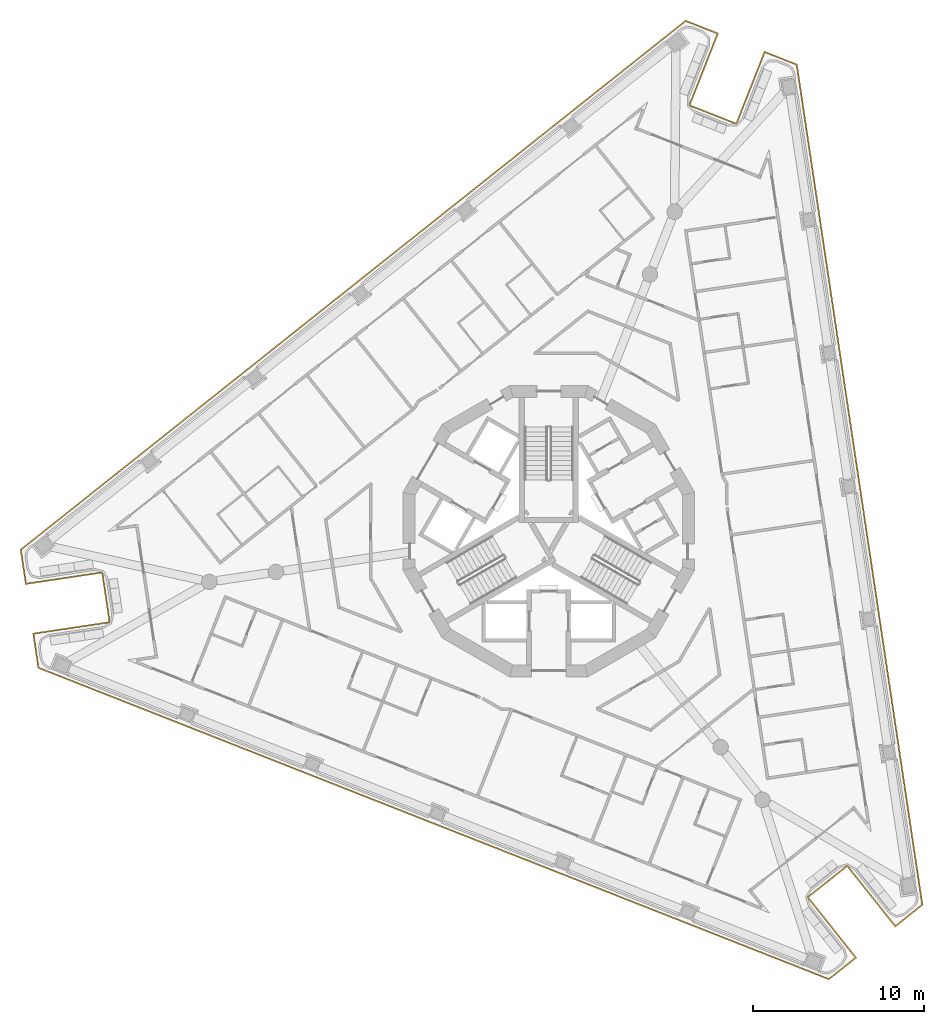
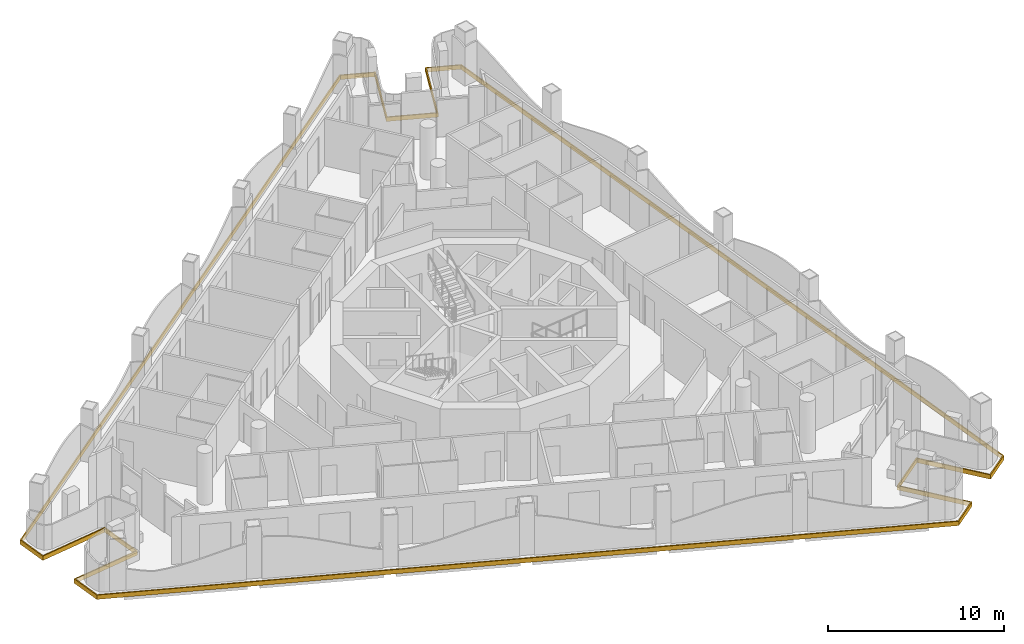
# One storey, part 12 of 16: 1 covering.
"""IFC4 building model written with IfcOpenShell, lengths in metres."""

from ifc_helpers import new_model, si_unit, direction, frame, origin, place, context, subcontext, project, spatial, polyline, outline, extrude, material, layer, layer_set, type_object, element, save


model = new_model("IFC4")

# Units and contexts
model_context = context("Model", 3, precision=1e-05, world=origin(), true_north=direction((0.0, 1.0)))
body_context = subcontext(model_context, "Body", "Model", "MODEL_VIEW")
ifc_project = project(units=[si_unit("LENGTHUNIT", "METRE"), si_unit("AREAUNIT", "SQUARE_METRE"), si_unit("VOLUMEUNIT", "CUBIC_METRE"), si_unit("PLANEANGLEUNIT", "RADIAN"), si_unit("MASSUNIT", "GRAM", prefix="KILO")], contexts=[model_context])

# Site, building, storey
site_placement = place(None, origin())
site = spatial("IfcSite", under=ifc_project, at=site_placement, CompositionType="ELEMENT")
building_placement = place(site_placement, origin())
building = spatial("IfcBuilding", under=site, at=building_placement, Name="Trine Commons Tower", CompositionType="ELEMENT")
storey_placement = place(building_placement, frame((0.0, 0.0, 205.199951171875)))
storey = spatial("IfcBuildingStorey", under=building, at=storey_placement, Name="L53", CompositionType="ELEMENT", Elevation=205.199951171875)

# Covering
ifc_material = material(Name="Limestone, honed", Category="masonry")
ifc_layer = layer(ifc_material, 0.074951171875)
ifc_layer_set = layer_set([ifc_layer], Name="Limestone, honed")
covering_type = type_object("IfcCoveringType", Name="Limestone spandrel panel 75", PredefinedType="CLADDING", material=ifc_layer_set)
covering_placement = place(storey_placement, frame((0.0, 0.0, -0.300048828125)))
element("IfcCovering", 1, at=covering_placement, inside=storey, type_object=covering_type, Name="Limestone spandrel panel 6-01", PredefinedType="CLADDING", context=body_context, shape_type="SweptSolid", body=[
    extrude(outline(polyline([(97.397705078125, 42.917236328125), (100.198974609375, 39.3955078125), (101.82861328125, 40.69189453125), (94.498779296875, 89.7373046875), (92.561279296875, 90.50048828125), (90.912109375, 86.313720703125), (88.26025390625, 87.358154296875), (89.90966796875, 91.545166015625), (87.97216796875, 92.308349609375), (49.162353515625, 61.4375), (49.47021484375, 59.378173828125), (53.9208984375, 60.043212890625), (54.342041015625, 57.224609375), (49.891357421875, 56.559326171875), (50.19921875, 54.5), (96.3388671875, 36.324951171875), (97.968505859375, 37.621337890625), (95.167236328125, 41.14306640625), (97.397705078125, 42.917236328125)]), holes=[polyline([(92.603515625, 90.4033203125), (94.430908203125, 89.683349609375), (101.748046875, 40.7236328125), (100.2109375, 39.5009765625), (97.40966796875, 43.022705078125), (95.061767578125, 41.155029296875), (97.86328125, 37.63330078125), (96.325927734375, 36.41064453125), (50.26708984375, 54.5537109375), (49.976806640625, 56.496337890625), (54.42724609375, 57.16162109375), (53.98388671875, 60.12841796875), (49.533203125, 59.46337890625), (49.242919921875, 61.406005859375), (87.98486328125, 92.22265625), (89.812255859375, 91.502685546875), (88.1630859375, 87.31591796875), (90.954345703125, 86.21630859375), (92.603515625, 90.4033203125)])]), origin(), (0.0, 0.0, 1.0), 0.300048828125),
])

save(model, "model.ifc")
